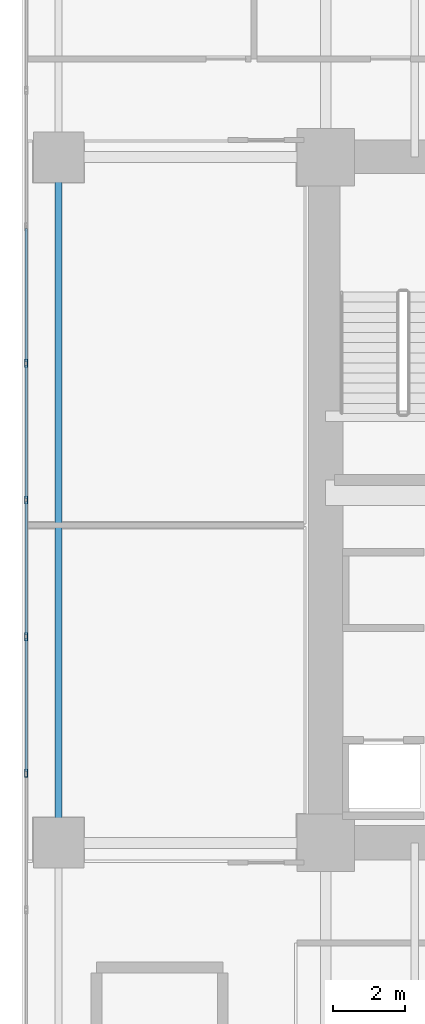
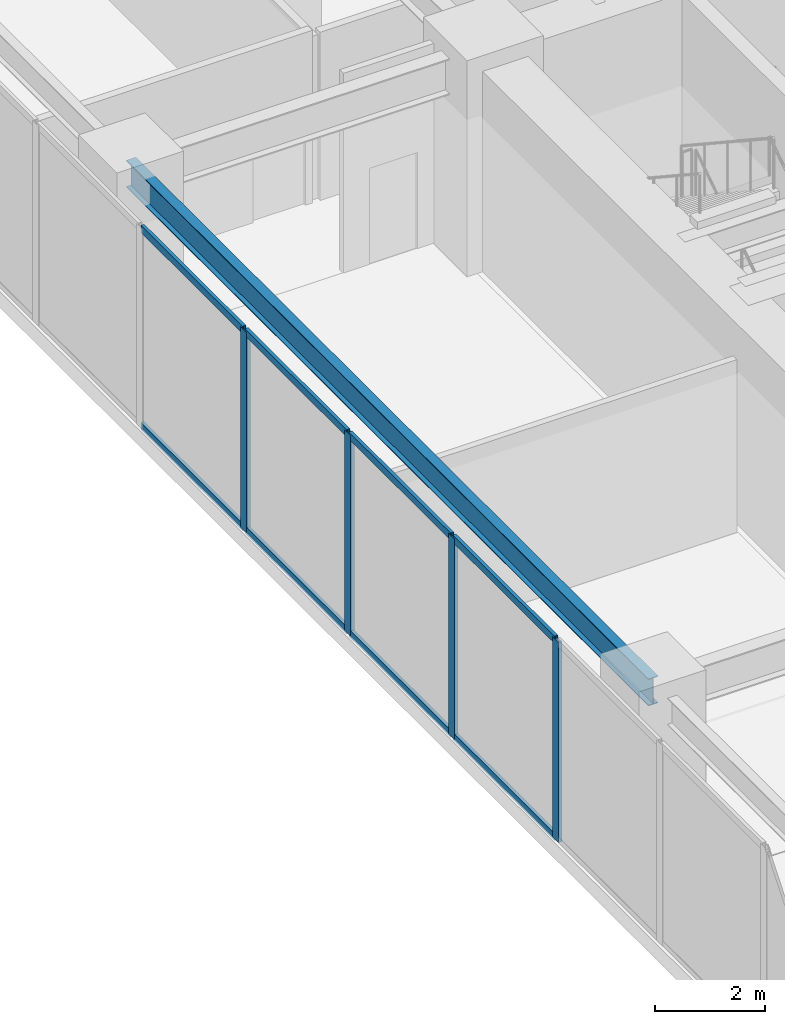
# One storey, part 6 of 39: 12 members, 1 beam, 1 element without a shape of its own.
"""IFC4 building model written with IfcOpenShell, lengths in metres."""

from ifc_helpers import new_model, si_unit, direction, frame, origin, origin_2d, place, context, subcontext, project, spatial, hollow_rectangle, i_section, extrude, source, transform, mapped, material, layer, layer_set, material_profile, profile_set, type_object, type_shapes, element, aggregate, save


model = new_model("IFC4")

# Units and contexts
model_context = context("Model", 3, precision=1e-05, world=origin(), true_north=direction((0.0, 1.0)))
body_context = subcontext(model_context, "Body", "Model", "MODEL_VIEW")
ifc_project = project(units=[si_unit("LENGTHUNIT", "METRE"), si_unit("AREAUNIT", "SQUARE_METRE"), si_unit("VOLUMEUNIT", "CUBIC_METRE"), si_unit("PLANEANGLEUNIT", "RADIAN"), si_unit("MASSUNIT", "GRAM", prefix="KILO")], contexts=[model_context])

# Site, building, storey
site_placement = place(None, origin())
site = spatial("IfcSite", under=ifc_project, at=site_placement, CompositionType="ELEMENT")
building_placement = place(site_placement, origin())
building = spatial("IfcBuilding", under=site, at=building_placement, Name="Haelvirn Gate Laboratories", CompositionType="ELEMENT")
storey_placement = place(building_placement, frame((0.0, 0.0, 15.0)))
storey = spatial("IfcBuildingStorey", under=building, at=storey_placement, Name="L04", CompositionType="ELEMENT", Elevation=15.0)

# Beam
ifc_material_1 = material(Name="Steel SM355", Category="steel")
ifc_material_profile_1 = material_profile(ifc_material_1, i_section(OverallWidth=0.199951171875, OverallDepth=0.60009765625, WebThickness=0.010986328125, FlangeThickness=0.01708984375, at=origin_2d()), Name="H-600x200x11x17")
ifc_profile_set_1 = profile_set([ifc_material_profile_1], Name="Steel SM355")
beam_type = type_object("IfcBeamType", Name="BM-SP-600", PredefinedType="SPANDREL", material=ifc_profile_set_1)
shared_shape_1 = source(origin(), body_context, "Body", "SweptSolid", [
    extrude(i_section(OverallWidth=0.199951171875, OverallDepth=0.60009765625, WebThickness=0.010986328125, FlangeThickness=0.01708984375, at=origin_2d()), origin(), (0.0, 0.0, 1.0), 19.0),
])
type_shapes(beam_type, [shared_shape_1])
beam_placement = place(storey_placement, frame((0.0, 14.800048828125, 4.14990234375), z_axis=(0.0, 1.0, 0.0), x_axis=(-1.0, 0.0, 0.0)))
element("IfcBeam", 1, at=beam_placement, inside=storey, type_object=beam_type, Name="L04 Perimeter Spandrel X0.0 (14.8-33.8)", PredefinedType="SPANDREL", context=body_context, shape_type="MappedRepresentation", body=[
    mapped(shared_shape_1, transform((0.0, 0.0, 0.0), scale=1.0)),
])

# Curtain wall, members
ifc_material_2 = material(Name="Anodised bronze unitised aluminium & triple low-E glass", Category="aluminium")
ifc_layer = layer(ifc_material_2, 0.18798828125, Name="CW-SYS-1")
ifc_layer_set = layer_set([ifc_layer], Name="Anodised bronze unitised aluminium & triple low-E glass")
curtain_wall_type = type_object("IfcCurtainWallType", Name="CW-SYS-1", PredefinedType="NOTDEFINED", material=ifc_layer_set)
curtain_wall_placement = place(storey_placement, origin())
curtain_wall = element("IfcCurtainWall", 2, at=curtain_wall_placement, inside=storey, type_object=curtain_wall_type, Name="L04 Unitised Curtain Wall CW-L04-P0-E05", PredefinedType="NOTDEFINED")
ifc_material_3 = material(Name="Extruded aluminium 6063-T6 (anodised bronze)", Category="aluminium")
ifc_material_profile_2 = material_profile(ifc_material_3, hollow_rectangle(XDim=0.070068359375, YDim=0.159912109375, WallThickness=0.0048828125, at=origin_2d()), Name="CWT-160x70x5")
ifc_profile_set_2 = profile_set([ifc_material_profile_2], Name="Extruded aluminium 6063-T6 (anodised bronze)")
member_type_1 = type_object("IfcMemberType", Name="CWT-T160", PredefinedType="USERDEFINED", material=ifc_profile_set_2)
shared_shape_2 = source(origin(), body_context, "Body", "SweptSolid", [
    extrude(hollow_rectangle(XDim=0.070068359375, YDim=0.159912109375, WallThickness=0.0048828125, at=origin_2d()), origin(), (0.0, 0.0, 1.0), 3.703369140625),
])
member_1_placement = place(storey_placement, frame((-0.89990234375, 31.82666015625, 0.034912109375), z_axis=(0.0, -1.0, 0.0), x_axis=(1.0, 0.0, 0.0)))
member_1 = element("IfcMember", 3, at=member_1_placement, type_object=member_type_1, Name="CW1 transom 5.1", ObjectType="TRANSOM", PredefinedType="USERDEFINED", context=body_context, shape_type="MappedRepresentation", body=[
    mapped(shared_shape_2, transform((0.0, 0.0, 0.0), scale=1.0)),
])
member_2_placement = place(storey_placement, frame((-0.89990234375, 31.82666015625, 4.4150390625), z_axis=(0.0, -1.0, 0.0), x_axis=(1.0, 0.0, 0.0)))
member_2 = element("IfcMember", 4, at=member_2_placement, type_object=member_type_1, Name="CW1 transom 5.2", ObjectType="TRANSOM", PredefinedType="USERDEFINED", context=body_context, shape_type="MappedRepresentation", body=[
    mapped(shared_shape_2, transform((0.0, 0.0, 0.0), scale=1.0)),
])
member_3_placement = place(storey_placement, frame((-0.89990234375, 24.260009765625, 0.034912109375), z_axis=(0.0, -1.0, 0.0), x_axis=(1.0, 0.0, 0.0)))
member_3 = element("IfcMember", 5, at=member_3_placement, type_object=member_type_1, Name="CW1 transom 7.1", ObjectType="TRANSOM", PredefinedType="USERDEFINED", context=body_context, shape_type="MappedRepresentation", body=[
    mapped(shared_shape_2, transform((0.0, 0.0, 0.0), scale=1.0)),
])
member_4_placement = place(storey_placement, frame((-0.89990234375, 24.260009765625, 4.4150390625), z_axis=(0.0, -1.0, 0.0), x_axis=(1.0, 0.0, 0.0)))
member_4 = element("IfcMember", 6, at=member_4_placement, type_object=member_type_1, Name="CW1 transom 7.2", ObjectType="TRANSOM", PredefinedType="USERDEFINED", context=body_context, shape_type="MappedRepresentation", body=[
    mapped(shared_shape_2, transform((0.0, 0.0, 0.0), scale=1.0)),
])
shared_shape_3 = source(origin(), body_context, "Body", "SweptSolid", [
    extrude(hollow_rectangle(XDim=0.070068359375, YDim=0.159912109375, WallThickness=0.0048828125, at=origin_2d()), origin(), (0.0, 0.0, 1.0), 3.703125),
])
type_shapes(member_type_1, [shared_shape_2, shared_shape_3])
member_5_placement = place(storey_placement, frame((-0.89990234375, 28.043212890625, 0.034912109375), z_axis=(0.0, -1.0, 0.0), x_axis=(1.0, 0.0, 0.0)))
member_5 = element("IfcMember", 7, at=member_5_placement, type_object=member_type_1, Name="CW1 transom 6.1", ObjectType="TRANSOM", PredefinedType="USERDEFINED", context=body_context, shape_type="MappedRepresentation", body=[
    mapped(shared_shape_3, transform((0.0, 0.0, 0.0), scale=1.0)),
])
member_6_placement = place(storey_placement, frame((-0.89990234375, 28.043212890625, 4.4150390625), z_axis=(0.0, -1.0, 0.0), x_axis=(1.0, 0.0, 0.0)))
member_6 = element("IfcMember", 8, at=member_6_placement, type_object=member_type_1, Name="CW1 transom 6.2", ObjectType="TRANSOM", PredefinedType="USERDEFINED", context=body_context, shape_type="MappedRepresentation", body=[
    mapped(shared_shape_3, transform((0.0, 0.0, 0.0), scale=1.0)),
])
member_7_placement = place(storey_placement, frame((-0.89990234375, 20.4765625, 0.034912109375), z_axis=(0.0, -1.0, 0.0), x_axis=(1.0, 0.0, 0.0)))
member_7 = element("IfcMember", 9, at=member_7_placement, type_object=member_type_1, Name="CW1 transom 8.1", ObjectType="TRANSOM", PredefinedType="USERDEFINED", context=body_context, shape_type="MappedRepresentation", body=[
    mapped(shared_shape_3, transform((0.0, 0.0, 0.0), scale=1.0)),
])
member_8_placement = place(storey_placement, frame((-0.89990234375, 20.4765625, 4.4150390625), z_axis=(0.0, -1.0, 0.0), x_axis=(1.0, 0.0, 0.0)))
member_8 = element("IfcMember", 10, at=member_8_placement, type_object=member_type_1, Name="CW1 transom 8.2", ObjectType="TRANSOM", PredefinedType="USERDEFINED", context=body_context, shape_type="MappedRepresentation", body=[
    mapped(shared_shape_3, transform((0.0, 0.0, 0.0), scale=1.0)),
])
ifc_material_profile_3 = material_profile(ifc_material_3, hollow_rectangle(XDim=0.080078125, YDim=0.219970703125, WallThickness=0.006103515625, at=origin_2d()), Name="CWM-220x80x6")
ifc_profile_set_3 = profile_set([ifc_material_profile_3], Name="Extruded aluminium 6063-T6 (anodised bronze)")
member_type_2 = type_object("IfcMemberType", Name="CWM-T220", PredefinedType="MULLION", material=ifc_profile_set_3)
shared_shape_4 = source(origin(), body_context, "Body", "SweptSolid", [
    extrude(hollow_rectangle(XDim=0.080078125, YDim=0.219970703125, WallThickness=0.006103515625, at=origin_2d()), origin(), (0.0, 0.0, 1.0), 4.449951171875),
])
type_shapes(member_type_2, [shared_shape_4])
member_9_placement = place(storey_placement, frame((-0.89990234375, 28.083251953125, 0.0), z_axis=(0.0, 0.0, 1.0), x_axis=(1.0, 0.0, 0.0)))
member_9 = element("IfcMember", 11, at=member_9_placement, type_object=member_type_2, Name="CW1 mullion 6", PredefinedType="MULLION", context=body_context, shape_type="MappedRepresentation", body=[
    mapped(shared_shape_4, transform((0.0, 0.0, 0.0), scale=1.0)),
])
member_10_placement = place(storey_placement, frame((-0.89990234375, 24.300048828125, 0.0), z_axis=(0.0, 0.0, 1.0), x_axis=(1.0, 0.0, 0.0)))
member_10 = element("IfcMember", 12, at=member_10_placement, type_object=member_type_2, Name="CW1 mullion 7", PredefinedType="MULLION", context=body_context, shape_type="MappedRepresentation", body=[
    mapped(shared_shape_4, transform((0.0, 0.0, 0.0), scale=1.0)),
])
member_11_placement = place(storey_placement, frame((-0.89990234375, 20.5166015625, 0.0), z_axis=(0.0, 0.0, 1.0), x_axis=(1.0, 0.0, 0.0)))
member_11 = element("IfcMember", 13, at=member_11_placement, type_object=member_type_2, Name="CW1 mullion 8", PredefinedType="MULLION", context=body_context, shape_type="MappedRepresentation", body=[
    mapped(shared_shape_4, transform((0.0, 0.0, 0.0), scale=1.0)),
])
member_12_placement = place(storey_placement, frame((-0.89990234375, 16.7333984375, 0.0), z_axis=(0.0, 0.0, 1.0), x_axis=(1.0, 0.0, 0.0)))
member_12 = element("IfcMember", 14, at=member_12_placement, type_object=member_type_2, Name="CW1 mullion 9", PredefinedType="MULLION", context=body_context, shape_type="MappedRepresentation", body=[
    mapped(shared_shape_4, transform((0.0, 0.0, 0.0), scale=1.0)),
])
aggregate(curtain_wall, [member_9, member_10, member_11, member_12, member_1, member_2, member_5, member_6, member_3, member_4, member_7, member_8])

save(model, "model.ifc")
